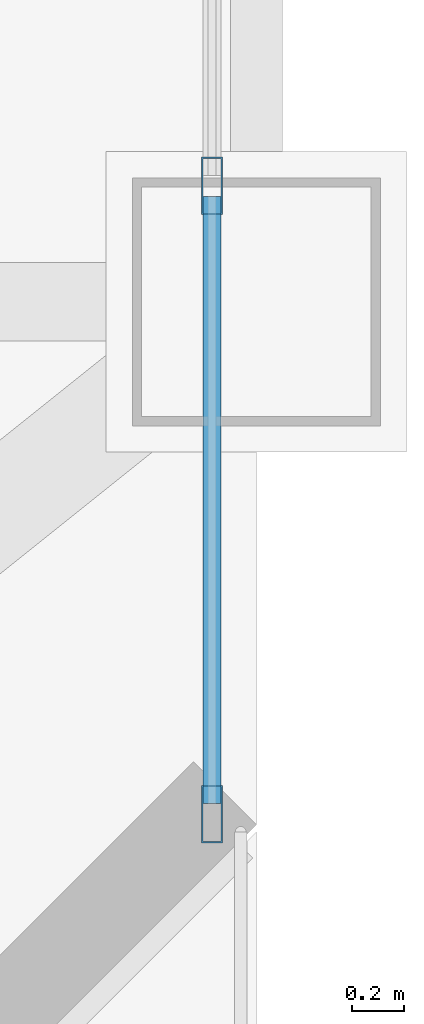
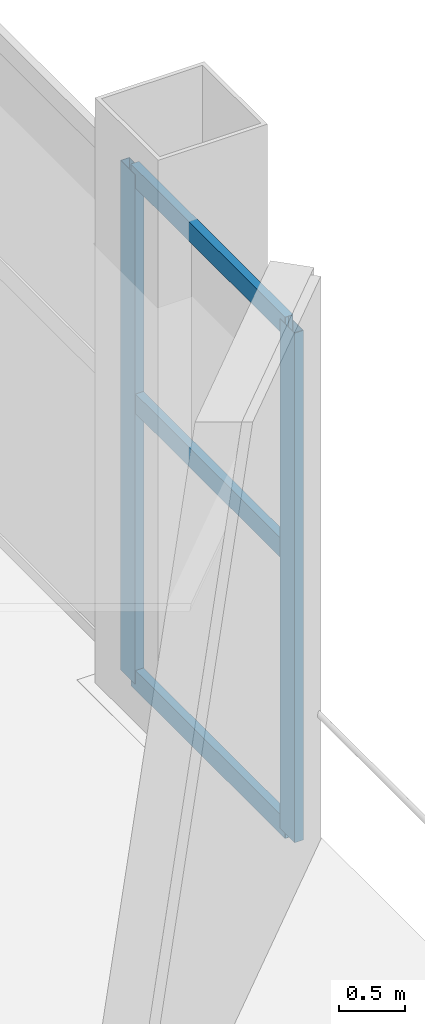
# One storey, part 10 of 21: 5 members, 1 element without a shape of its own.
"""IFC4 building model written with IfcOpenShell, lengths in metres."""

from ifc_helpers import new_model, si_unit, direction, frame, origin, origin_2d, place, context, subcontext, project, spatial, hollow_rectangle, extrude, material, layer, layer_set, material_profile, profile_set, type_object, element, aggregate, save


model = new_model("IFC4")

# Units and contexts
model_context = context("Model", 3, precision=1e-05, world=origin(), true_north=direction((0.0, 1.0)))
body_context = subcontext(model_context, "Body", "Model", "MODEL_VIEW")
ifc_project = project(units=[si_unit("LENGTHUNIT", "METRE"), si_unit("AREAUNIT", "SQUARE_METRE"), si_unit("VOLUMEUNIT", "CUBIC_METRE"), si_unit("PLANEANGLEUNIT", "RADIAN"), si_unit("MASSUNIT", "GRAM", prefix="KILO")], contexts=[model_context])

# Site, building, storey
site_placement = place(None, origin())
site = spatial("IfcSite", under=ifc_project, at=site_placement, CompositionType="ELEMENT")
building_placement = place(site_placement, origin())
building = spatial("IfcBuilding", under=site, at=building_placement, Name="Qianrong Seaharbour Tower", CompositionType="ELEMENT")
storey_placement = place(building_placement, frame((0.0, 0.0, 200.39990234375)))
storey = spatial("IfcBuildingStorey", under=building, at=storey_placement, Name="L48", CompositionType="ELEMENT", Elevation=200.39990234375)

# Curtain wall, members
ifc_material_1 = material(Name="Anodised aluminium 6063-T6 and laminated low-e glass", Category="aluminium")
ifc_layer = layer(ifc_material_1, 0.2099609375)
ifc_layer_set = layer_set([ifc_layer], Name="Anodised aluminium 6063-T6 and laminated low-e glass")
curtain_wall_type = type_object("IfcCurtainWallType", Name="CW-SYS-2", PredefinedType="NOTDEFINED", material=ifc_layer_set)
curtain_wall_placement = place(storey_placement, origin())
curtain_wall = element("IfcCurtainWall", 1, at=curtain_wall_placement, inside=storey, type_object=curtain_wall_type, Name="L48 Sky-Lobby Feature Curtain Wall EAST_WING", PredefinedType="NOTDEFINED")
ifc_material_2 = material(Name="Extruded aluminium 6063-T6", Category="aluminium")
ifc_material_profile_1 = material_profile(ifc_material_2, hollow_rectangle(XDim=0.080078125, YDim=0.219970703125, WallThickness=0.0048828125, at=origin_2d()), Name="ALU-MUL-220x80x5")
ifc_profile_set_1 = profile_set([ifc_material_profile_1], Name="Extruded aluminium 6063-T6")
member_type_1 = type_object("IfcMemberType", Name="CW-MUL-220", PredefinedType="MULLION", material=ifc_profile_set_1)
member_1_placement = place(storey_placement, frame((63.830078125, 18.94384765625, 0.0), z_axis=(0.0, 0.0, 1.0), x_axis=(1.0, 0.0, 0.0)))
member_1 = element("IfcMember", 2, at=member_1_placement, type_object=member_type_1, Name="CW-2 mullion 8", PredefinedType="MULLION", context=body_context, shape_type="SweptSolid", body=[
    extrude(hollow_rectangle(XDim=0.080078125, YDim=0.219970703125, WallThickness=0.0048828125, at=origin_2d()), origin(), (0.0, 0.0, 1.0), 4.68505859375),
])
member_2_placement = place(storey_placement, frame((63.830078125, 16.5400390625, 0.0), z_axis=(0.0, 0.0, 1.0), x_axis=(1.0, 0.0, 0.0)))
member_2 = element("IfcMember", 3, at=member_2_placement, type_object=member_type_1, Name="CW-2 mullion 9", PredefinedType="MULLION", context=body_context, shape_type="SweptSolid", body=[
    extrude(hollow_rectangle(XDim=0.080078125, YDim=0.219970703125, WallThickness=0.0048828125, at=origin_2d()), origin(), (0.0, 0.0, 1.0), 4.68505859375),
])
ifc_material_profile_2 = material_profile(ifc_material_2, hollow_rectangle(XDim=0.070068359375, YDim=0.179931640625, WallThickness=0.00390625, at=origin_2d()), Name="ALU-TRN-180x70x4")
ifc_profile_set_2 = profile_set([ifc_material_profile_2], Name="Extruded aluminium 6063-T6")
member_type_2 = type_object("IfcMemberType", Name="CW-TRN-180", PredefinedType="USERDEFINED", material=ifc_profile_set_2)
member_3_placement = place(storey_placement, frame((63.830078125, 18.90380859375, 0.03515625), z_axis=(0.0, -1.0, 0.0), x_axis=(1.0, 0.0, 0.0)))
member_3 = element("IfcMember", 4, at=member_3_placement, type_object=member_type_2, Name="CW-2 transom 8.1", ObjectType="TRANSOM", PredefinedType="USERDEFINED", context=body_context, shape_type="SweptSolid", body=[
    extrude(hollow_rectangle(XDim=0.070068359375, YDim=0.179931640625, WallThickness=0.00390625, at=origin_2d()), origin(), (0.0, 0.0, 1.0), 2.32373046875),
])
member_4_placement = place(storey_placement, frame((63.830078125, 18.90380859375, 2.576904296875), z_axis=(0.0, -1.0, 0.0), x_axis=(1.0, 0.0, 0.0)))
member_4 = element("IfcMember", 5, at=member_4_placement, type_object=member_type_2, Name="CW-2 transom 8.2", ObjectType="TRANSOM", PredefinedType="USERDEFINED", context=body_context, shape_type="SweptSolid", body=[
    extrude(hollow_rectangle(XDim=0.070068359375, YDim=0.179931640625, WallThickness=0.00390625, at=origin_2d()), origin(), (0.0, 0.0, 1.0), 2.32373046875),
])
member_5_placement = place(storey_placement, frame((63.830078125, 18.90380859375, 4.650146484375), z_axis=(0.0, -1.0, 0.0), x_axis=(1.0, 0.0, 0.0)))
member_5 = element("IfcMember", 6, at=member_5_placement, type_object=member_type_2, Name="CW-2 transom 8.3", ObjectType="TRANSOM", PredefinedType="USERDEFINED", context=body_context, shape_type="SweptSolid", body=[
    extrude(hollow_rectangle(XDim=0.070068359375, YDim=0.179931640625, WallThickness=0.00390625, at=origin_2d()), origin(), (0.0, 0.0, 1.0), 2.32373046875),
])
aggregate(curtain_wall, [member_1, member_2, member_3, member_4, member_5])

save(model, "model.ifc")
